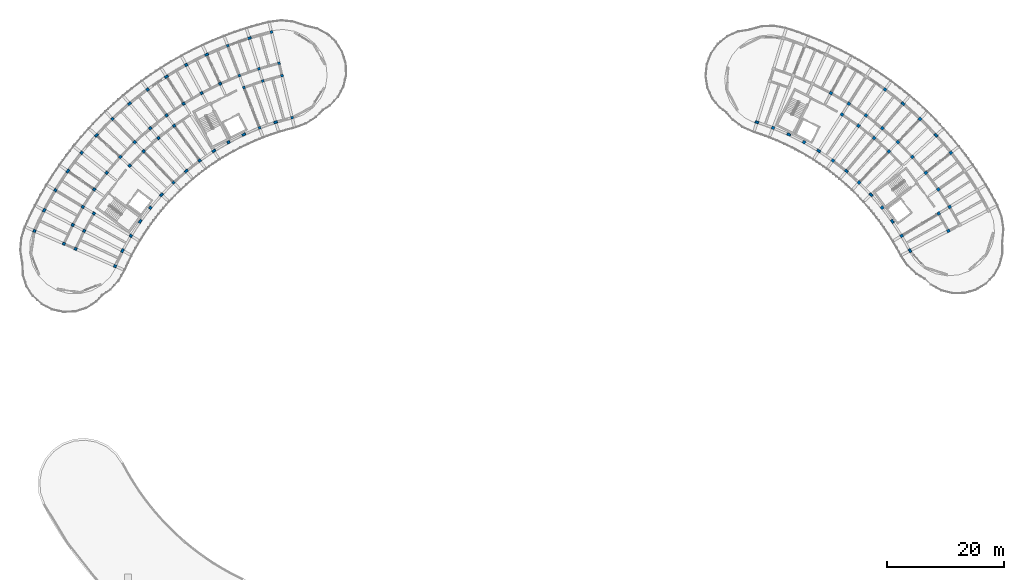
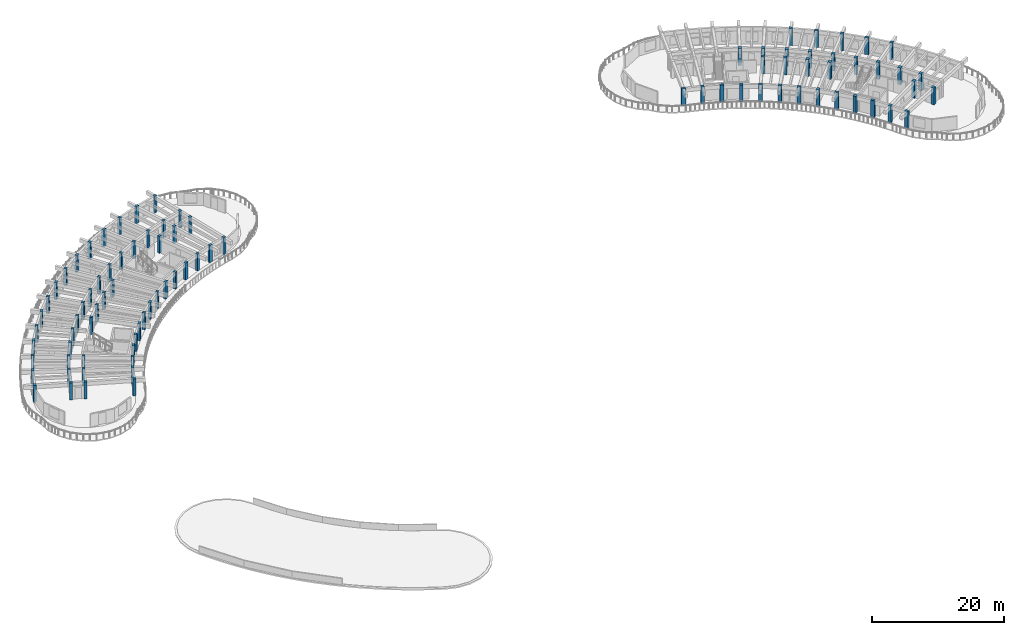
# One storey, part 1 of 36: 88 columns.
"""IFC4 building model written with IfcOpenShell, lengths in metres."""

from ifc_helpers import new_model, si_unit, direction, frame, origin, origin_2d, place, context, subcontext, project, spatial, rectangle, extrude, material, material_profile, profile_set, type_object, element, save


model = new_model("IFC4")

# Units and contexts
model_context = context("Model", 3, precision=1e-05, world=origin(), true_north=direction((0.0, 1.0)))
body_context = subcontext(model_context, "Body", "Model", "MODEL_VIEW")
ifc_project = project(units=[si_unit("LENGTHUNIT", "METRE"), si_unit("AREAUNIT", "SQUARE_METRE"), si_unit("VOLUMEUNIT", "CUBIC_METRE"), si_unit("PLANEANGLEUNIT", "RADIAN"), si_unit("MASSUNIT", "GRAM", prefix="KILO")], contexts=[model_context])

# Site, building, storey
site_placement = place(None, origin())
site = spatial("IfcSite", under=ifc_project, at=site_placement, CompositionType="ELEMENT")
building_placement = place(site_placement, origin())
building = spatial("IfcBuilding", under=site, at=building_placement, Name="Tanwirah Colonnade Gardens", CompositionType="ELEMENT")
storey_placement = place(building_placement, frame((0.0, 0.0, 39.080078125)))
storey = spatial("IfcBuildingStorey", under=building, at=storey_placement, Name="L11", CompositionType="ELEMENT", Elevation=39.080078125)

# Columns
ifc_material_1 = material(Name="Precast concrete C40/50", Category="concrete")
ifc_material_profile_1 = material_profile(ifc_material_1, rectangle(XDim=0.449951171875, YDim=0.449951171875, at=origin_2d()), Name="PC-COL 450x450")
ifc_profile_set_1 = profile_set([ifc_material_profile_1], Name="Precast concrete C40/50")
column_type_1 = type_object("IfcColumnType", Name="C-PC450", PredefinedType="COLUMN", material=ifc_profile_set_1)
for number, where, z_axis, x_axis, name in (
    (1, (54.58154296875, 103.411865234375, 0.0), (0.0, 0.0, 1.0), (-0.23438809799, 0.972143106503, 0.0), "Block A L11 Column 2-R0"),
    (2, (52.846923828125, 110.605712890625, 0.0), (0.0, 0.0, 1.0), (-0.23438809799, 0.972143106503, 0.0), "Block A L11 Column 2-R1"),
    (3, (52.331298828125, 112.744384765625, 0.0), (0.0, 0.0, 1.0), (-0.23438809799, 0.972143106503, 0.0), "Block A L11 Column 2-R2"),
    (4, (51.042236328125, 118.091064453125, 0.0), (0.0, 0.0, 1.0), (-0.23438809799, 0.972143106503, 0.0), "Block A L11 Column 2-R3"),
    (5, (49.55224609375, 109.6953125, 0.0), (0.0, 0.0, 1.0), (-0.297930292146, 0.954587628781, 0.0), "Block A L11 Column 3-R1"),
    (6, (48.89697265625, 111.79541015625, 0.0), (0.0, 0.0, 1.0), (-0.297930292146, 0.954587628781, 0.0), "Block A L11 Column 3-R2"),
    (7, (48.989990234375, 101.666748046875, 0.0), (0.0, 0.0, 1.0), (-0.360177739278, 0.932883699144, 0.0), "Block A L11 Column 4-R0"),
    (8, (46.32470703125, 108.570068359375, 0.0), (0.0, 0.0, 1.0), (-0.360177739278, 0.932883699144, 0.0), "Block A L11 Column 4-R1"),
    (9, (45.532470703125, 110.622314453125, 0.0), (0.0, 0.0, 1.0), (-0.360177739278, 0.932883699144, 0.0), "Block A L11 Column 4-R2"),
    (10, (43.551513671875, 115.753173828125, 0.0), (0.0, 0.0, 1.0), (-0.360177739278, 0.932883699144, 0.0), "Block A L11 Column 4-R3"),
    (11, (42.25244140625, 109.230224609375, 0.0), (0.0, 0.0, 1.0), (-0.420859924104, 0.907125638643, 0.0), "Block A L11 Column 5-R2"),
    (12, (43.6767578125, 99.20166015625, 0.0), (0.0, 0.0, 1.0), (-0.479713133669, 0.877425386791, 0.0), "Block A L11 Column 6-R0"),
    (13, (39.071533203125, 107.624755859375, 0.0), (0.0, 0.0, 1.0), (-0.479713133669, 0.877425386791, 0.0), "Block A L11 Column 6-R2"),
    (14, (36.43310546875, 112.45068359375, 0.0), (0.0, 0.0, 1.0), (-0.479713133669, 0.877425386791, 0.0), "Block A L11 Column 6-R3"),
    (15, (36.003173828125, 105.8134765625, 0.0), (0.0, 0.0, 1.0), (-0.536481603385, 0.843912015099, 0.0), "Block A L11 Column 7-R2"),
    (16, (38.733642578125, 96.05908203125, 0.0), (0.0, 0.0, 1.0), (-0.590918628541, 0.806731166153, 0.0), "Block A L11 Column 8-R0"),
    (17, (34.36083984375, 102.029052734375, 0.0), (0.0, 0.0, 1.0), (-0.590918628541, 0.806731166153, 0.0), "Block A L11 Column 8-R1"),
    (18, (33.060791015625, 103.8037109375, 0.0), (0.0, 0.0, 1.0), (-0.590918628541, 0.806731166153, 0.0), "Block A L11 Column 8-R2"),
    (19, (29.810791015625, 108.24072265625, 0.0), (0.0, 0.0, 1.0), (-0.590918628541, 0.806731166153, 0.0), "Block A L11 Column 8-R3"),
    (20, (31.67138671875, 99.91943359375, 0.0), (0.0, 0.0, 1.0), (-0.642787636427, 0.766044420681, 0.0), "Block A L11 Column 9-R1"),
    (21, (30.25732421875, 101.604736328125, 0.0), (0.0, 0.0, 1.0), (-0.642787636427, 0.766044420681, 0.0), "Block A L11 Column 9-R2"),
    (22, (34.24658203125, 92.294189453125, 0.0), (0.0, 0.0, 1.0), (-0.691863214436, 0.722028595355, 0.0), "Block A L11 Column 10-R0"),
    (23, (29.126953125, 97.63720703125, 0.0), (0.0, 0.0, 1.0), (-0.691863214436, 0.722028595355, 0.0), "Block A L11 Column 10-R1"),
    (24, (27.604736328125, 99.2255859375, 0.0), (0.0, 0.0, 1.0), (-0.691863214436, 0.722028595355, 0.0), "Block A L11 Column 10-R2"),
    (25, (23.799560546875, 103.19677734375, 0.0), (0.0, 0.0, 1.0), (-0.691863214436, 0.722028595355, 0.0), "Block A L11 Column 10-R3"),
    (26, (26.73828125, 95.1923828125, 0.0), (0.0, 0.0, 1.0), (-0.737932089665, 0.674874974378, 0.0), "Block A L11 Column 11-R1"),
    (27, (25.11474609375, 96.677001953125, 0.0), (0.0, 0.0, 1.0), (-0.737932089665, 0.674874974378, 0.0), "Block A L11 Column 11-R2"),
    (28, (30.293701171875, 87.971923828125, 0.0), (0.0, 0.0, 1.0), (-0.780794055756, 0.624788478204, 0.0), "Block A L11 Column 12-R0"),
    (29, (22.798095703125, 93.9697265625, 0.0), (0.0, 0.0, 1.0), (-0.780794055756, 0.624788478204, 0.0), "Block A L11 Column 12-R2"),
    (30, (18.503662109375, 97.40625, 0.0), (0.0, 0.0, 1.0), (-0.780794055756, 0.624788478204, 0.0), "Block A L11 Column 12-R3"),
    (31, (20.664794921875, 91.115966796875, 0.0), (0.0, 0.0, 1.0), (-0.82026284295, 0.57198677299, 0.0), "Block A L11 Column 13-R2"),
    (32, (26.943359375, 83.167236328125, 0.0), (0.0, 0.0, 1.0), (-0.856166927587, 0.516699324663, 0.0), "Block A L11 Column 14-R0"),
    (33, (20.607666015625, 86.990966796875, 0.0), (0.0, 0.0, 1.0), (-0.856166927587, 0.516699324663, 0.0), "Block A L11 Column 14-R1"),
    (34, (18.72412109375, 88.127685546875, 0.0), (0.0, 0.0, 1.0), (-0.856166927587, 0.516699324663, 0.0), "Block A L11 Column 14-R2"),
    (35, (14.015380859375, 90.969482421875, 0.0), (0.0, 0.0, 1.0), (-0.856166927587, 0.516699324663, 0.0), "Block A L11 Column 14-R3"),
    (36, (18.93896484375, 84.0078125, 0.0), (0.0, 0.0, 1.0), (-0.888350277506, 0.459166401705, 0.0), "Block A L11 Column 15-R1"),
    (37, (16.984619140625, 85.017822265625, 0.0), (0.0, 0.0, 1.0), (-0.888350277506, 0.459166401705, 0.0), "Block A L11 Column 15-R2"),
    (38, (24.25390625, 77.9638671875, 0.0), (0.0, 0.0, 1.0), (-0.916673030138, 0.399638030994, 0.0), "Block A L11 Column 16-R0"),
    (39, (17.470458984375, 80.921142578125, 0.0), (0.0, 0.0, 1.0), (-0.916673030138, 0.399638030994, 0.0), "Block A L11 Column 16-R1"),
    (40, (15.453857421875, 81.800537109375, 0.0), (0.0, 0.0, 1.0), (-0.916673030138, 0.399638030994, 0.0), "Block A L11 Column 16-R2"),
    (41, (10.412109375, 83.99853515625, 0.0), (0.0, 0.0, 1.0), (-0.916673030138, 0.399638030994, 0.0), "Block A L11 Column 16-R3"),
):
    element("IfcColumn", number, at=place(storey_placement, frame(where, z_axis=z_axis, x_axis=x_axis)), inside=storey, type_object=column_type_1, Name=name, PredefinedType="COLUMN", context=body_context, shape_type="SweptSolid", body=[
        extrude(rectangle(XDim=0.449951171875, YDim=0.449951171875, at=origin_2d()), origin(), (0.0, 0.0, 1.0), 3.119873046875),
    ])
ifc_material_2 = material(Name="Precast concrete C45/55", Category="concrete")
ifc_material_profile_2 = material_profile(ifc_material_2, rectangle(XDim=0.52001953125, YDim=0.52001953125, at=origin_2d()), Name="PC-COL 520x520")
ifc_profile_set_2 = profile_set([ifc_material_profile_2], Name="Precast concrete C45/55")
column_type_2 = type_object("IfcColumnType", Name="C-PC520", PredefinedType="COLUMN", material=ifc_profile_set_2)
for number, where, z_axis, x_axis, name in (
    (42, (167.06103515625, 84.0078125, 0.0), (0.0, 0.0, 1.0), (0.88835024545, 0.459166463723, 0.0), "Block B L11 Column 3-R1"),
    (43, (159.056640625, 83.167236328125, 0.0), (0.0, 0.0, 1.0), (0.856166891514, 0.516699384434, 0.0), "Block B L11 Column 4-R0"),
    (44, (165.392333984375, 86.990966796875, 0.0), (0.0, 0.0, 1.0), (0.856166891514, 0.516699384434, 0.0), "Block B L11 Column 4-R1"),
    (45, (167.27587890625, 88.127685546875, 0.0), (0.0, 0.0, 1.0), (0.856166891514, 0.516699384434, 0.0), "Block B L11 Column 4-R2"),
    (46, (165.335205078125, 91.115966796875, 0.0), (0.0, 0.0, 1.0), (0.820262803018, 0.571986830255, 0.0), "Block B L11 Column 5-R2"),
    (47, (155.706298828125, 87.971923828125, 0.0), (0.0, 0.0, 1.0), (0.780794012137, 0.624788532714, 0.0), "Block B L11 Column 6-R0"),
    (48, (163.201904296875, 93.9697265625, 0.0), (0.0, 0.0, 1.0), (0.780794012137, 0.624788532714, 0.0), "Block B L11 Column 6-R2"),
    (49, (167.496337890625, 97.40625, 0.0), (0.0, 0.0, 1.0), (0.780794012137, 0.624788532714, 0.0), "Block B L11 Column 6-R3"),
    (50, (160.88525390625, 96.677001953125, 0.0), (0.0, 0.0, 1.0), (0.73793204255, 0.674875025896, 0.0), "Block B L11 Column 7-R2"),
    (51, (151.75341796875, 92.294189453125, 0.0), (0.0, 0.0, 1.0), (0.691863164029, 0.722028643656, 0.0), "Block B L11 Column 8-R0"),
    (52, (156.873046875, 97.63720703125, 0.0), (0.0, 0.0, 1.0), (0.691863164029, 0.722028643656, 0.0), "Block B L11 Column 8-R1"),
    (53, (158.395263671875, 99.2255859375, 0.0), (0.0, 0.0, 1.0), (0.691863164029, 0.722028643656, 0.0), "Block B L11 Column 8-R2"),
    (54, (162.200439453125, 103.19677734375, 0.0), (0.0, 0.0, 1.0), (0.691863164029, 0.722028643656, 0.0), "Block B L11 Column 8-R3"),
    (55, (154.32861328125, 99.91943359375, 0.0), (0.0, 0.0, 1.0), (0.642787582947, 0.766044465556, 0.0), "Block B L11 Column 9-R1"),
    (56, (155.74267578125, 101.604736328125, 0.0), (0.0, 0.0, 1.0), (0.642787582947, 0.766044465556, 0.0), "Block B L11 Column 9-R2"),
    (57, (147.266357421875, 96.05908203125, 0.0), (0.0, 0.0, 1.0), (0.590918572221, 0.806731207407, 0.0), "Block B L11 Column 10-R0"),
    (58, (151.63916015625, 102.029052734375, 0.0), (0.0, 0.0, 1.0), (0.590918572221, 0.806731207407, 0.0), "Block B L11 Column 10-R1"),
    (59, (152.939208984375, 103.8037109375, 0.0), (0.0, 0.0, 1.0), (0.590918572221, 0.806731207407, 0.0), "Block B L11 Column 10-R2"),
    (60, (156.189208984375, 108.24072265625, 0.0), (0.0, 0.0, 1.0), (0.590918572221, 0.806731207407, 0.0), "Block B L11 Column 10-R3"),
    (61, (148.816650390625, 103.956787109375, 0.0), (0.0, 0.0, 1.0), (0.536481544469, 0.843912052553, 0.0), "Block B L11 Column 11-R1"),
    (62, (149.996826171875, 105.8134765625, 0.0), (0.0, 0.0, 1.0), (0.536481544469, 0.843912052553, 0.0), "Block B L11 Column 11-R2"),
    (63, (142.3232421875, 99.20166015625, 0.0), (0.0, 0.0, 1.0), (0.479713072413, 0.877425420281, 0.0), "Block B L11 Column 12-R0"),
    (64, (146.928466796875, 107.624755859375, 0.0), (0.0, 0.0, 1.0), (0.479713072413, 0.877425420281, 0.0), "Block B L11 Column 12-R2"),
    (65, (137.010009765625, 101.666748046875, 0.0), (0.0, 0.0, 1.0), (0.36017767415, 0.932883724289, 0.0), "Block B L11 Column 14-R0"),
):
    element("IfcColumn", number, at=place(storey_placement, frame(where, z_axis=z_axis, x_axis=x_axis)), inside=storey, type_object=column_type_2, Name=name, PredefinedType="COLUMN", context=body_context, shape_type="SweptSolid", body=[
        extrude(rectangle(XDim=0.52001953125, YDim=0.52001953125, at=origin_2d()), origin(), (0.0, 0.0, 1.0), 3.119873046875),
    ])
ifc_material_profile_3 = material_profile(ifc_material_1, rectangle(XDim=0.389892578125, YDim=0.6298828125, at=origin_2d()), Name="PC-PIL 390x630")
ifc_profile_set_3 = profile_set([ifc_material_profile_3], Name="Precast concrete C40/50")
column_type_3 = type_object("IfcColumnType", Name="PIL-360", PredefinedType="PILASTER", material=ifc_profile_set_3)
for number, where, z_axis, x_axis, name in (
    (66, (51.757080078125, 102.63134765625, 0.0), (0.0, 0.0, 1.0), (-0.297930292146, 0.954587628781, 0.0), "Block A L11 Column 3-R0"),
    (67, (47.25830078125, 117.045654296875, 0.0), (0.0, 0.0, 1.0), (-0.297930292146, 0.954587628781, 0.0), "Block A L11 Column 3-R3"),
    (68, (46.292724609375, 100.521728515625, 0.0), (0.0, 0.0, 1.0), (-0.420859924104, 0.907125638643, 0.0), "Block A L11 Column 5-R0"),
    (69, (39.937744140625, 114.21923828125, 0.0), (0.0, 0.0, 1.0), (-0.420859924104, 0.907125638643, 0.0), "Block A L11 Column 5-R3"),
    (70, (41.1533203125, 97.7119140625, 0.0), (0.0, 0.0, 1.0), (-0.536481603385, 0.843912015099, 0.0), "Block A L11 Column 7-R0"),
    (71, (33.052490234375, 110.455078125, 0.0), (0.0, 0.0, 1.0), (-0.536481603385, 0.843912015099, 0.0), "Block A L11 Column 7-R3"),
    (72, (36.427978515625, 94.250732421875, 0.0), (0.0, 0.0, 1.0), (-0.642787636427, 0.766044420681, 0.0), "Block A L11 Column 9-R0"),
    (73, (26.721923828125, 105.81787109375, 0.0), (0.0, 0.0, 1.0), (-0.642787636427, 0.766044420681, 0.0), "Block A L11 Column 9-R3"),
    (74, (32.198974609375, 90.1982421875, 0.0), (0.0, 0.0, 1.0), (-0.737932089665, 0.674874974378, 0.0), "Block A L11 Column 11-R0"),
    (75, (21.05615234375, 100.388916015625, 0.0), (0.0, 0.0, 1.0), (-0.737932089665, 0.674874974378, 0.0), "Block A L11 Column 11-R3"),
    (76, (28.539306640625, 85.624755859375, 0.0), (0.0, 0.0, 1.0), (-0.82026284295, 0.57198677299, 0.0), "Block A L11 Column 13-R0"),
    (77, (16.1533203125, 94.26171875, 0.0), (0.0, 0.0, 1.0), (-0.82026284295, 0.57198677299, 0.0), "Block A L11 Column 13-R3"),
    (78, (25.512939453125, 80.60986328125, 0.0), (0.0, 0.0, 1.0), (-0.888350277506, 0.459166401705, 0.0), "Block A L11 Column 15-R0"),
    (79, (12.0986328125, 87.54345703125, 0.0), (0.0, 0.0, 1.0), (-0.888350277506, 0.459166401705, 0.0), "Block A L11 Column 15-R3"),
    (80, (160.487060546875, 80.60986328125, 0.0), (0.0, 0.0, 1.0), (0.88835024545, 0.459166463723, 0.0), "Block B L11 Column 3-R0"),
    (81, (157.460693359375, 85.624755859375, 0.0), (0.0, 0.0, 1.0), (0.820262803018, 0.571986830255, 0.0), "Block B L11 Column 5-R0"),
    (82, (153.801025390625, 90.1982421875, 0.0), (0.0, 0.0, 1.0), (0.73793204255, 0.674875025896, 0.0), "Block B L11 Column 7-R0"),
    (83, (164.94384765625, 100.388916015625, 0.0), (0.0, 0.0, 1.0), (0.73793204255, 0.674875025896, 0.0), "Block B L11 Column 7-R3"),
    (84, (149.572021484375, 94.250732421875, 0.0), (0.0, 0.0, 1.0), (0.642787582947, 0.766044465556, 0.0), "Block B L11 Column 9-R0"),
    (85, (159.278076171875, 105.81787109375, 0.0), (0.0, 0.0, 1.0), (0.642787582947, 0.766044465556, 0.0), "Block B L11 Column 9-R3"),
    (86, (144.8466796875, 97.7119140625, 0.0), (0.0, 0.0, 1.0), (0.536481544469, 0.843912052553, 0.0), "Block B L11 Column 11-R0"),
    (87, (139.707275390625, 100.521728515625, 0.0), (0.0, 0.0, 1.0), (0.420859860775, 0.907125668024, 0.0), "Block B L11 Column 13-R0"),
    (88, (134.242919921875, 102.63134765625, 0.0), (0.0, 0.0, 1.0), (0.297930225503, 0.954587649581, 0.0), "Block B L11 Column 15-R0"),
):
    element("IfcColumn", number, at=place(storey_placement, frame(where, z_axis=z_axis, x_axis=x_axis)), inside=storey, type_object=column_type_3, Name=name, PredefinedType="PILASTER", context=body_context, shape_type="SweptSolid", body=[
        extrude(rectangle(XDim=0.389892578125, YDim=0.6298828125, at=origin_2d()), origin(), (0.0, 0.0, 1.0), 3.119873046875),
    ])

save(model, "model.ifc")
